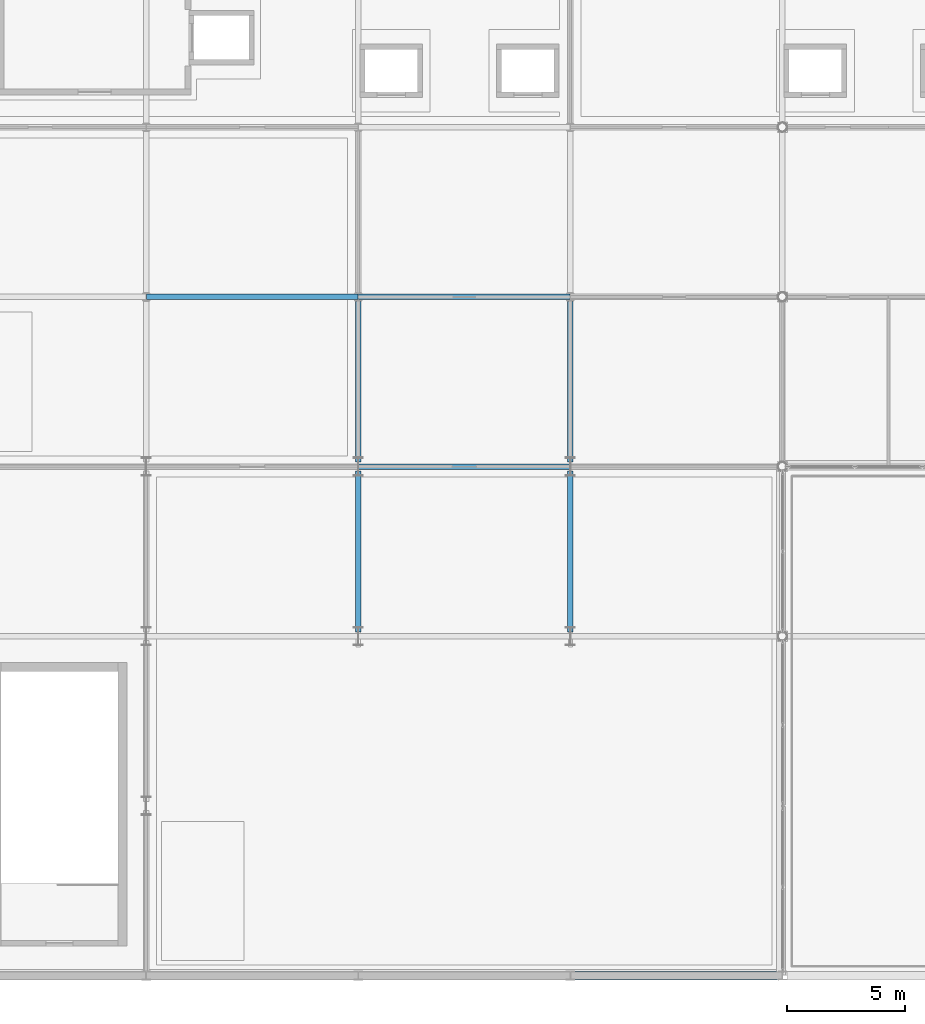
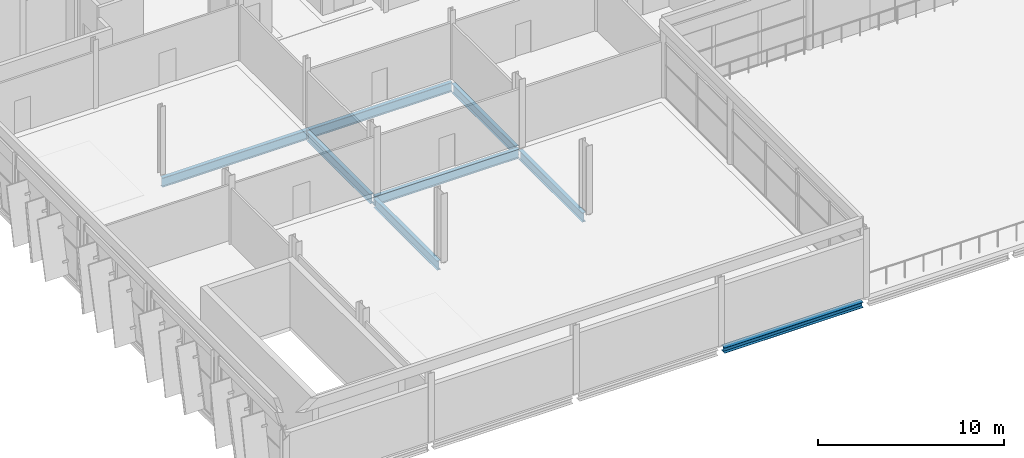
# One storey, part 12 of 52: 8 beams.
"""IFC4 building model written with IfcOpenShell, lengths in metres."""

from ifc_helpers import new_model, si_unit, direction, frame, origin, origin_2d, place, context, subcontext, project, spatial, i_section, extrude, material, material_profile, profile_set, type_object, element, save


model = new_model("IFC4")

# Units and contexts
model_context = context("Model", 3, precision=1e-05, world=origin(), true_north=direction((0.0, 1.0)))
body_context = subcontext(model_context, "Body", "Model", "MODEL_VIEW")
ifc_project = project(units=[si_unit("LENGTHUNIT", "METRE"), si_unit("AREAUNIT", "SQUARE_METRE"), si_unit("VOLUMEUNIT", "CUBIC_METRE"), si_unit("PLANEANGLEUNIT", "RADIAN"), si_unit("MASSUNIT", "GRAM", prefix="KILO")], contexts=[model_context])

# Site, building, storey
site_placement = place(None, origin())
site = spatial("IfcSite", under=ifc_project, at=site_placement, CompositionType="ELEMENT")
building_placement = place(site_placement, origin())
building = spatial("IfcBuilding", under=site, at=building_placement, Name="Celestram Park Convention Centre", CompositionType="ELEMENT")
storey_placement = place(building_placement, frame((0.0, 0.0, 24.300048828125)))
storey = spatial("IfcBuildingStorey", under=building, at=storey_placement, Name="L05", CompositionType="ELEMENT", Elevation=24.300048828125)

# Beams
ifc_material = material(Name="Steel ASTM A992 Grade 50", Category="steel")
ifc_material_profile_1 = material_profile(ifc_material, i_section(OverallWidth=0.22900390625, OverallDepth=0.612060546875, WebThickness=0.011962890625, FlangeThickness=0.01953125, at=origin_2d()), Name="W24X84")
ifc_profile_set_1 = profile_set([ifc_material_profile_1], Name="Steel ASTM A992 Grade 50")
beam_type_1 = type_object("IfcBeamType", Name="STR-BM-W24X84", PredefinedType="BEAM", material=ifc_profile_set_1)
beam_1_placement = place(storey_placement, frame((45.006103515625, 136.800048828125, -0.546142578125), z_axis=(1.0, 0.0, 0.0), x_axis=(0.0, 1.0, 0.0)))
element("IfcBeam", 1, at=beam_1_placement, inside=storey, type_object=beam_type_1, Name="Primary X-girder BG-L05-0022", PredefinedType="BEAM", context=body_context, shape_type="SweptSolid", body=[
    extrude(i_section(OverallWidth=0.22900390625, OverallDepth=0.612060546875, WebThickness=0.011962890625, FlangeThickness=0.01953125, at=origin_2d()), origin(), (0.0, 0.0, 1.0), 8.98779296875),
])
beam_2_placement = place(storey_placement, frame((54.0, 122.58447265625, -0.546142578125), z_axis=(0.0, 1.0, 0.0), x_axis=(-1.0, 0.0, 0.0)))
element("IfcBeam", 2, at=beam_2_placement, inside=storey, type_object=beam_type_1, Name="Primary Y-girder BG-L05-0033", PredefinedType="BEAM", context=body_context, shape_type="SweptSolid", body=[
    extrude(i_section(OverallWidth=0.22900390625, OverallDepth=0.612060546875, WebThickness=0.011962890625, FlangeThickness=0.01953125, at=origin_2d()), origin(), (0.0, 0.0, 1.0), 6.8310546875),
])
beam_3_placement = place(storey_placement, frame((54.006103515625, 129.60009765625, -0.546142578125), z_axis=(1.0, 0.0, 0.0), x_axis=(0.0, 1.0, 0.0)))
element("IfcBeam", 3, at=beam_3_placement, inside=storey, type_object=beam_type_1, Name="Primary X-girder BG-L05-0034", PredefinedType="BEAM", context=body_context, shape_type="SweptSolid", body=[
    extrude(i_section(OverallWidth=0.22900390625, OverallDepth=0.612060546875, WebThickness=0.011962890625, FlangeThickness=0.01953125, at=origin_2d()), origin(), (0.0, 0.0, 1.0), 8.98779296875),
])
beam_4_placement = place(storey_placement, frame((54.0, 129.784423828125, -0.546142578125), z_axis=(0.0, 1.0, 0.0), x_axis=(-1.0, 0.0, 0.0)))
element("IfcBeam", 4, at=beam_4_placement, inside=storey, type_object=beam_type_1, Name="Primary Y-girder BG-L05-0035", PredefinedType="BEAM", context=body_context, shape_type="SweptSolid", body=[
    extrude(i_section(OverallWidth=0.22900390625, OverallDepth=0.612060546875, WebThickness=0.011962890625, FlangeThickness=0.01953125, at=origin_2d()), origin(), (0.0, 0.0, 1.0), 6.8310546875),
])
beam_5_placement = place(storey_placement, frame((54.006103515625, 136.800048828125, -0.546142578125), z_axis=(1.0, 0.0, 0.0), x_axis=(0.0, 1.0, 0.0)))
element("IfcBeam", 5, at=beam_5_placement, inside=storey, type_object=beam_type_1, Name="Primary X-girder BG-L05-0036", PredefinedType="BEAM", context=body_context, shape_type="SweptSolid", body=[
    extrude(i_section(OverallWidth=0.22900390625, OverallDepth=0.612060546875, WebThickness=0.011962890625, FlangeThickness=0.01953125, at=origin_2d()), origin(), (0.0, 0.0, 1.0), 8.98779296875),
])
for number, where, z_axis, x_axis, name in (
    (6, (63.0, 122.58447265625, -0.546142578125), (0.0, 1.0, 0.0), (-1.0, 0.0, 0.0), "Primary Y-girder BG-L05-0047"),
    (7, (63.0, 129.784423828125, -0.546142578125), (0.0, 1.0, 0.0), (-1.0, 0.0, 0.0), "Primary Y-girder BG-L05-0049"),
):
    element("IfcBeam", number, at=place(storey_placement, frame(where, z_axis=z_axis, x_axis=x_axis)), inside=storey, type_object=beam_type_1, Name=name, PredefinedType="BEAM", context=body_context, shape_type="SweptSolid", body=[
        extrude(i_section(OverallWidth=0.22900390625, OverallDepth=0.612060546875, WebThickness=0.011962890625, FlangeThickness=0.01953125, at=origin_2d()), origin(), (0.0, 0.0, 1.0), 6.8310546875),
    ])
ifc_material_profile_2 = material_profile(ifc_material, i_section(OverallWidth=0.367919921875, OverallDepth=0.35595703125, WebThickness=0.01123046875, FlangeThickness=0.01806640625, at=origin_2d()), Name="W14X90")
ifc_profile_set_2 = profile_set([ifc_material_profile_2], Name="Steel ASTM A992 Grade 50")
beam_type_2 = type_object("IfcBeamType", Name="STR-SPN-W14X90", PredefinedType="SPANDREL", material=ifc_profile_set_2)
beam_6_placement = place(storey_placement, frame((63.197998046875, 108.0, -0.41796875), z_axis=(1.0, 0.0, 0.0), x_axis=(0.0, 1.0, 0.0)))
element("IfcBeam", 8, at=beam_6_placement, inside=storey, type_object=beam_type_2, Name="Primary X-girder BG-L05-0045", PredefinedType="SPANDREL", context=body_context, shape_type="SweptSolid", body=[
    extrude(i_section(OverallWidth=0.367919921875, OverallDepth=0.35595703125, WebThickness=0.01123046875, FlangeThickness=0.01806640625, at=origin_2d()), origin(), (0.0, 0.0, 1.0), 8.60400390625),
])

save(model, "model.ifc")
